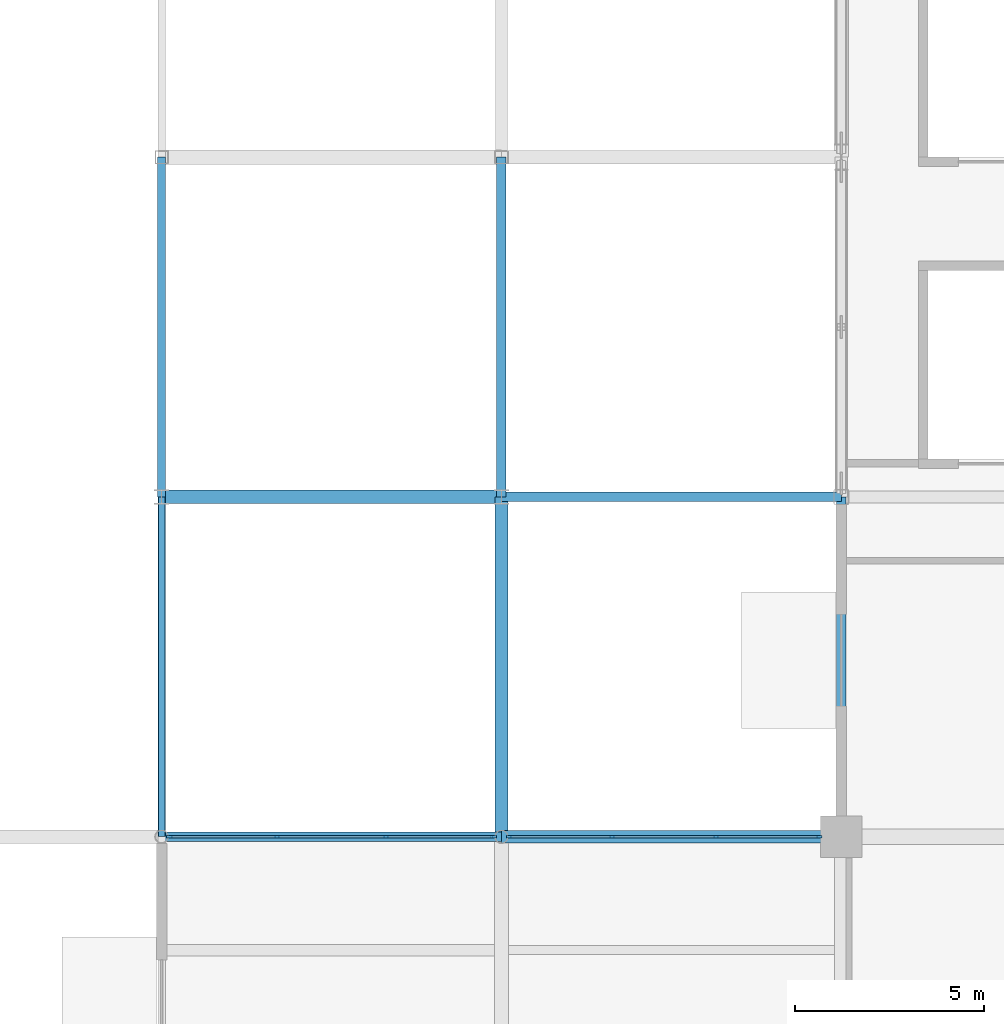
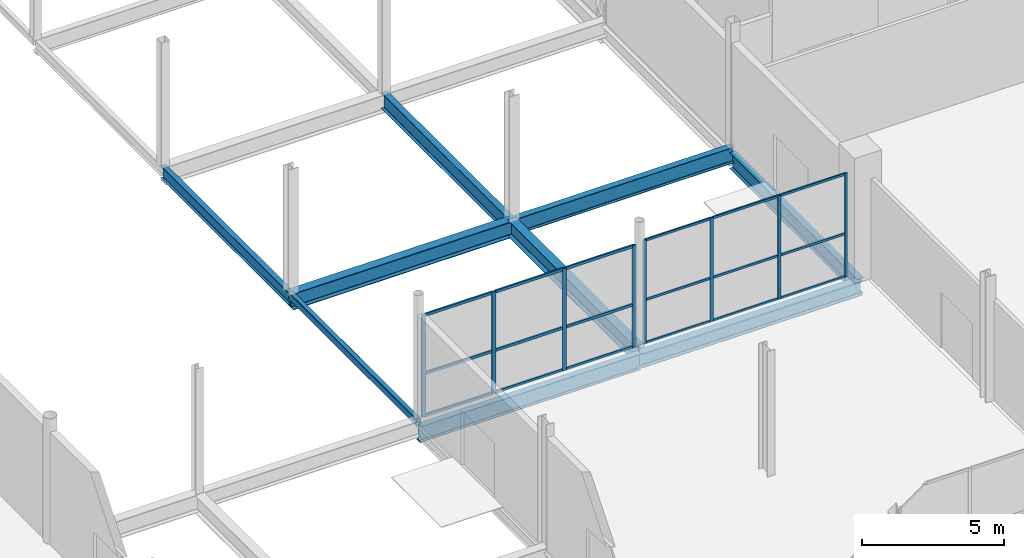
# One storey, part 33 of 94: 26 members, 9 beams, 2 elements without a shape of their own.
"""IFC4 building model written with IfcOpenShell, lengths in metres."""

from ifc_helpers import new_model, si_unit, direction, frame, origin, origin_2d, place, context, subcontext, project, spatial, rectangle, hollow_rectangle, i_section, extrude, material, layer, layer_set, material_profile, profile_set, type_object, element, aggregate, save


model = new_model("IFC4")

# Units and contexts
model_context = context("Model", 3, precision=1e-05, world=origin(), true_north=direction((0.0, 1.0)))
body_context = subcontext(model_context, "Body", "Model", "MODEL_VIEW")
ifc_project = project(units=[si_unit("LENGTHUNIT", "METRE"), si_unit("AREAUNIT", "SQUARE_METRE"), si_unit("VOLUMEUNIT", "CUBIC_METRE"), si_unit("PLANEANGLEUNIT", "RADIAN"), si_unit("MASSUNIT", "GRAM", prefix="KILO")], contexts=[model_context])

# Site, building, storey
site_placement = place(None, origin())
site = spatial("IfcSite", under=ifc_project, at=site_placement, CompositionType="ELEMENT")
building_placement = place(site_placement, origin())
building = spatial("IfcBuilding", under=site, at=building_placement, Name="Qamarlyn Nura Convention Centre", CompositionType="ELEMENT")
storey_placement = place(building_placement, origin())
storey = spatial("IfcBuildingStorey", under=building, at=storey_placement, Name="L00", CompositionType="ELEMENT", Elevation=0.0)

# Beams
ifc_material_1 = material(Name="Steel ASTM A992", Category="steel")
ifc_material_profile_1 = material_profile(ifc_material_1, i_section(OverallWidth=0.323974609375, OverallDepth=0.611083984375, WebThickness=0.0126953125, FlangeThickness=0.01904296875, FilletRadius=0.01611328125, at=origin_2d()), Name="W610X155")
ifc_profile_set_1 = profile_set([ifc_material_profile_1], Name="Steel ASTM A992")
beam_type_1 = type_object("IfcBeamType", Name="BM-GIRD-610", PredefinedType="BEAM", material=ifc_profile_set_1)
beam_1_placement = place(storey_placement, frame((144.0, 45.0, -0.60546875), z_axis=(1.0, 0.0, 0.0), x_axis=(0.0, 1.0, 0.0)))
element("IfcBeam", 1, at=beam_1_placement, inside=storey, type_object=beam_type_1, Name="L00 girder F 12-13", PredefinedType="BEAM", context=body_context, shape_type="SweptSolid", body=[
    extrude(i_section(OverallWidth=0.323974609375, OverallDepth=0.611083984375, WebThickness=0.0126953125, FlangeThickness=0.01904296875, FilletRadius=0.01611328125, at=origin_2d()), origin(), (0.0, 0.0, 1.0), 9.0),
])
ifc_material_profile_2 = material_profile(ifc_material_1, i_section(OverallWidth=0.35498046875, OverallDepth=0.695068359375, WebThickness=0.015380859375, FlangeThickness=0.02490234375, FilletRadius=0.01806640625, at=origin_2d()), Name="W690X217")
ifc_profile_set_2 = profile_set([ifc_material_profile_2], Name="Steel ASTM A992")
beam_type_2 = type_object("IfcBeamType", Name="BM-GIRD-690A", PredefinedType="BEAM", material=ifc_profile_set_2)
for number, where, z_axis, x_axis, name in (
    (2, (135.0, 54.0, -0.347412109375), (1.0, 0.0, 0.0), (0.0, 1.0, 0.0), "L00 girder G 11-12"),
    (3, (144.0, 45.0, -0.347412109375), (0.0, 1.0, 0.0), (-1.0, 0.0, 0.0), "L00 girder 12 F-G"),
):
    element("IfcBeam", number, at=place(storey_placement, frame(where, z_axis=z_axis, x_axis=x_axis)), inside=storey, type_object=beam_type_2, Name=name, PredefinedType="BEAM", context=body_context, shape_type="SweptSolid", body=[
        extrude(i_section(OverallWidth=0.35498046875, OverallDepth=0.695068359375, WebThickness=0.015380859375, FlangeThickness=0.02490234375, FilletRadius=0.01806640625, at=origin_2d()), origin(), (0.0, 0.0, 1.0), 9.0),
    ])
ifc_material_profile_3 = material_profile(ifc_material_1, i_section(OverallWidth=0.25390625, OverallDepth=0.68408203125, WebThickness=0.012451171875, FlangeThickness=0.01904296875, FilletRadius=0.01806640625, at=origin_2d()), Name="W690X140")
ifc_profile_set_3 = profile_set([ifc_material_profile_3], Name="Steel ASTM A992")
beam_type_3 = type_object("IfcBeamType", Name="BM-GIRD-690B", PredefinedType="BEAM", material=ifc_profile_set_3)
for number, where, z_axis, x_axis, name in (
    (4, (135.0, 45.0, -0.64208984375), (1.0, 0.0, 0.0), (0.0, 1.0, 0.0), "L00 girder F 11-12"),
    (5, (144.0, 54.0, -0.342041015625), (1.0, 0.0, 0.0), (0.0, 1.0, 0.0), "L00 girder G 12-13"),
    (6, (144.0, 54.0, -0.342041015625), (0.0, 1.0, 0.0), (-1.0, 0.0, 0.0), "L00 girder 12 G-H"),
    (7, (153.0, 45.0, -0.6220703125), (0.0, 1.0, 0.0), (-1.0, 0.0, 0.0), "L00 girder 13 F-G"),
):
    element("IfcBeam", number, at=place(storey_placement, frame(where, z_axis=z_axis, x_axis=x_axis)), inside=storey, type_object=beam_type_3, Name=name, PredefinedType="BEAM", context=body_context, shape_type="SweptSolid", body=[
        extrude(i_section(OverallWidth=0.25390625, OverallDepth=0.68408203125, WebThickness=0.012451171875, FlangeThickness=0.01904296875, FilletRadius=0.01806640625, at=origin_2d()), origin(), (0.0, 0.0, 1.0), 9.0),
    ])
ifc_material_profile_4 = material_profile(ifc_material_1, i_section(OverallWidth=0.2109375, OverallDepth=0.5390625, WebThickness=0.01171875, FlangeThickness=0.018798828125, FilletRadius=0.013916015625, at=origin_2d()), Name="W530X109")
ifc_profile_set_4 = profile_set([ifc_material_profile_4], Name="Steel ASTM A992")
beam_type_4 = type_object("IfcBeamType", Name="BM-SPAN-530", PredefinedType="SPANDREL", material=ifc_profile_set_4)
beam_2_placement = place(storey_placement, frame((135.0, 54.0, -0.26953125), z_axis=(0.0, 1.0, 0.0), x_axis=(-1.0, 0.0, 0.0)))
element("IfcBeam", 8, at=beam_2_placement, inside=storey, type_object=beam_type_4, Name="L00 girder 11 G-H", PredefinedType="SPANDREL", context=body_context, shape_type="SweptSolid", body=[
    extrude(i_section(OverallWidth=0.2109375, OverallDepth=0.5390625, WebThickness=0.01171875, FlangeThickness=0.018798828125, FilletRadius=0.013916015625, at=origin_2d()), origin(), (0.0, 0.0, 1.0), 9.0),
])
ifc_material_2 = material(Name="Steel ASTM A500 Grade C", Category="steel")
ifc_material_profile_5 = material_profile(ifc_material_2, hollow_rectangle(XDim=0.199951171875, YDim=0.300048828125, WallThickness=0.012451171875, InnerFilletRadius=0.012451171875, OuterFilletRadius=0.02490234375, at=origin_2d()), Name="HSS300X200X12.5")
ifc_profile_set_5 = profile_set([ifc_material_profile_5], Name="Steel ASTM A500 Grade C")
beam_type_5 = type_object("IfcBeamType", Name="BM-SPAN-HSS", PredefinedType="SPANDREL", material=ifc_profile_set_5)
beam_3_placement = place(storey_placement, frame((135.0, 45.0, -0.14990234375), z_axis=(0.0, 1.0, 0.0), x_axis=(-1.0, 0.0, 0.0)))
element("IfcBeam", 9, at=beam_3_placement, inside=storey, type_object=beam_type_5, Name="L00 girder 11 F-G", PredefinedType="SPANDREL", context=body_context, shape_type="SweptSolid", body=[
    extrude(hollow_rectangle(XDim=0.199951171875, YDim=0.300048828125, WallThickness=0.012451171875, InnerFilletRadius=0.012451171875, OuterFilletRadius=0.02490234375, at=origin_2d()), origin(), (0.0, 0.0, 1.0), 9.0),
])

# Curtain wall, members
ifc_material_3 = material(Name="Double-silver low-E insulated glass", Category="glass")
ifc_layer_1 = layer(ifc_material_3, 0.179931640625, Name="CW-UNIT-62")
ifc_layer_set_1 = layer_set([ifc_layer_1], Name="Double-silver low-E insulated glass")
curtain_wall_type_1 = type_object("IfcCurtainWallType", Name="CW-UNIT-62", PredefinedType="NOTDEFINED", material=ifc_layer_set_1)
curtain_wall_1_placement = place(storey_placement, origin())
curtain_wall_1 = element("IfcCurtainWall", 10, at=curtain_wall_1_placement, inside=storey, type_object=curtain_wall_type_1, Name="L00 unitised curtain wall WSN-L00-2", PredefinedType="NOTDEFINED")
ifc_material_4 = material(Name="Champagne-anodised marine aluminium", Category="aluminium")
ifc_material_profile_6 = material_profile(ifc_material_4, rectangle(XDim=0.06005859375, YDim=0.139892578125, at=origin_2d()), Name="ALU MULLION 60x140")
ifc_profile_set_6 = profile_set([ifc_material_profile_6], Name="Champagne-anodised marine aluminium")
member_type_1 = type_object("IfcMemberType", Name="CWM-140", PredefinedType="MULLION", material=ifc_profile_set_6)
member_1_placement = place(storey_placement, frame((144.207763671875, 45.0, 0.0), z_axis=(0.0, 0.0, 1.0), x_axis=(0.0, 1.0, 0.0)))
member_1 = element("IfcMember", 11, at=member_1_placement, type_object=member_type_1, Name="CW62 mullion 1", PredefinedType="MULLION", context=body_context, shape_type="SweptSolid", body=[
    extrude(rectangle(XDim=0.06005859375, YDim=0.139892578125, at=origin_2d()), origin(), (0.0, 0.0, 1.0), 4.469970703125),
])
member_2_placement = place(storey_placement, frame((146.935302734375, 45.0, 0.0), z_axis=(0.0, 0.0, 1.0), x_axis=(0.0, 1.0, 0.0)))
member_2 = element("IfcMember", 12, at=member_2_placement, type_object=member_type_1, Name="CW62 mullion 2", PredefinedType="MULLION", context=body_context, shape_type="SweptSolid", body=[
    extrude(rectangle(XDim=0.06005859375, YDim=0.139892578125, at=origin_2d()), origin(), (0.0, 0.0, 1.0), 4.469970703125),
])
member_3_placement = place(storey_placement, frame((149.692626953125, 45.0, 0.0), z_axis=(0.0, 0.0, 1.0), x_axis=(0.0, 1.0, 0.0)))
member_3 = element("IfcMember", 13, at=member_3_placement, type_object=member_type_1, Name="CW62 mullion 3", PredefinedType="MULLION", context=body_context, shape_type="SweptSolid", body=[
    extrude(rectangle(XDim=0.06005859375, YDim=0.139892578125, at=origin_2d()), origin(), (0.0, 0.0, 1.0), 4.469970703125),
])
member_4_placement = place(storey_placement, frame((152.419921875, 45.0, 0.0), z_axis=(0.0, 0.0, 1.0), x_axis=(0.0, 1.0, 0.0)))
member_4 = element("IfcMember", 14, at=member_4_placement, type_object=member_type_1, Name="CW62 mullion 4", PredefinedType="MULLION", context=body_context, shape_type="SweptSolid", body=[
    extrude(rectangle(XDim=0.06005859375, YDim=0.139892578125, at=origin_2d()), origin(), (0.0, 0.0, 1.0), 4.469970703125),
])

ifc_layer_2 = layer(ifc_material_3, 0.179931640625, Name="CW-UNIT-61")
ifc_layer_set_2 = layer_set([ifc_layer_2], Name="Double-silver low-E insulated glass")
curtain_wall_type_2 = type_object("IfcCurtainWallType", Name="CW-UNIT-61", PredefinedType="NOTDEFINED", material=ifc_layer_set_2)
curtain_wall_2_placement = place(storey_placement, origin())
curtain_wall_2 = element("IfcCurtainWall", 15, at=curtain_wall_2_placement, inside=storey, type_object=curtain_wall_type_2, Name="L00 unitised curtain wall WSN-L00-1", PredefinedType="NOTDEFINED")
ifc_material_profile_7 = material_profile(ifc_material_4, rectangle(XDim=0.06494140625, YDim=0.159912109375, at=origin_2d()), Name="ALU MULLION 65x160")
ifc_profile_set_7 = profile_set([ifc_material_profile_7], Name="Champagne-anodised marine aluminium")
member_type_2 = type_object("IfcMemberType", Name="CWM-160", PredefinedType="MULLION", material=ifc_profile_set_7)
member_5_placement = place(storey_placement, frame((135.210205078125, 45.0, 0.0), z_axis=(0.0, 0.0, 1.0), x_axis=(0.0, 1.0, 0.0)))
member_5 = element("IfcMember", 16, at=member_5_placement, type_object=member_type_2, Name="CW61 mullion 1", PredefinedType="MULLION", context=body_context, shape_type="SweptSolid", body=[
    extrude(rectangle(XDim=0.06494140625, YDim=0.159912109375, at=origin_2d()), origin(), (0.0, 0.0, 1.0), 4.39208984375),
])
member_6_placement = place(storey_placement, frame((138.059326171875, 45.0, 0.0), z_axis=(0.0, 0.0, 1.0), x_axis=(0.0, 1.0, 0.0)))
member_6 = element("IfcMember", 17, at=member_6_placement, type_object=member_type_2, Name="CW61 mullion 2", PredefinedType="MULLION", context=body_context, shape_type="SweptSolid", body=[
    extrude(rectangle(XDim=0.06494140625, YDim=0.159912109375, at=origin_2d()), origin(), (0.0, 0.0, 1.0), 4.39208984375),
])
member_7_placement = place(storey_placement, frame((140.940673828125, 45.0, 0.0), z_axis=(0.0, 0.0, 1.0), x_axis=(0.0, 1.0, 0.0)))
member_7 = element("IfcMember", 18, at=member_7_placement, type_object=member_type_2, Name="CW61 mullion 3", PredefinedType="MULLION", context=body_context, shape_type="SweptSolid", body=[
    extrude(rectangle(XDim=0.06494140625, YDim=0.159912109375, at=origin_2d()), origin(), (0.0, 0.0, 1.0), 4.39208984375),
])
member_8_placement = place(storey_placement, frame((143.789794921875, 45.0, 0.0), z_axis=(0.0, 0.0, 1.0), x_axis=(0.0, 1.0, 0.0)))
member_8 = element("IfcMember", 19, at=member_8_placement, type_object=member_type_2, Name="CW61 mullion 4", PredefinedType="MULLION", context=body_context, shape_type="SweptSolid", body=[
    extrude(rectangle(XDim=0.06494140625, YDim=0.159912109375, at=origin_2d()), origin(), (0.0, 0.0, 1.0), 4.39208984375),
])

# Member
ifc_material_profile_8 = material_profile(ifc_material_4, rectangle(XDim=0.06005859375, YDim=0.10009765625, at=origin_2d()), Name="ALU TRANSOM 60x100")
ifc_profile_set_8 = profile_set([ifc_material_profile_8], Name="Champagne-anodised marine aluminium")
member_type_3 = type_object("IfcMemberType", Name="CWT-100", PredefinedType="USERDEFINED", material=ifc_profile_set_8)
member_9_placement = place(storey_placement, frame((144.23779296875, 45.0, 0.030029296875), z_axis=(1.0, 0.0, 0.0), x_axis=(0.0, 1.0, 0.0)))
member_9 = element("IfcMember", 20, at=member_9_placement, type_object=member_type_3, Name="CW62 transom 1.1", ObjectType="TRANSOM", PredefinedType="USERDEFINED", context=body_context, shape_type="SweptSolid", body=[
    extrude(rectangle(XDim=0.06005859375, YDim=0.10009765625, at=origin_2d()), origin(), (0.0, 0.0, 1.0), 2.66748046875),
])

member_10_placement = place(storey_placement, frame((144.23779296875, 45.0, 1.876953125), z_axis=(1.0, 0.0, 0.0), x_axis=(0.0, 1.0, 0.0)))
member_10 = element("IfcMember", 21, at=member_10_placement, type_object=member_type_3, Name="CW62 transom 1.2", ObjectType="TRANSOM", PredefinedType="USERDEFINED", context=body_context, shape_type="SweptSolid", body=[
    extrude(rectangle(XDim=0.06005859375, YDim=0.10009765625, at=origin_2d()), origin(), (0.0, 0.0, 1.0), 2.66748046875),
])

member_11_placement = place(storey_placement, frame((144.23779296875, 45.0, 4.43994140625), z_axis=(1.0, 0.0, 0.0), x_axis=(0.0, 1.0, 0.0)))
member_11 = element("IfcMember", 22, at=member_11_placement, type_object=member_type_3, Name="CW62 transom 1.3", ObjectType="TRANSOM", PredefinedType="USERDEFINED", context=body_context, shape_type="SweptSolid", body=[
    extrude(rectangle(XDim=0.06005859375, YDim=0.10009765625, at=origin_2d()), origin(), (0.0, 0.0, 1.0), 2.66748046875),
])

member_12_placement = place(storey_placement, frame((146.965087890625, 45.0, 0.030029296875), z_axis=(1.0, 0.0, 0.0), x_axis=(0.0, 1.0, 0.0)))
member_12 = element("IfcMember", 23, at=member_12_placement, type_object=member_type_3, Name="CW62 transom 2.1", ObjectType="TRANSOM", PredefinedType="USERDEFINED", context=body_context, shape_type="SweptSolid", body=[
    extrude(rectangle(XDim=0.06005859375, YDim=0.10009765625, at=origin_2d()), origin(), (0.0, 0.0, 1.0), 2.697509765625),
])

member_13_placement = place(storey_placement, frame((146.965087890625, 45.0, 1.876953125), z_axis=(1.0, 0.0, 0.0), x_axis=(0.0, 1.0, 0.0)))
member_13 = element("IfcMember", 24, at=member_13_placement, type_object=member_type_3, Name="CW62 transom 2.2", ObjectType="TRANSOM", PredefinedType="USERDEFINED", context=body_context, shape_type="SweptSolid", body=[
    extrude(rectangle(XDim=0.06005859375, YDim=0.10009765625, at=origin_2d()), origin(), (0.0, 0.0, 1.0), 2.697509765625),
])

member_14_placement = place(storey_placement, frame((146.965087890625, 45.0, 4.43994140625), z_axis=(1.0, 0.0, 0.0), x_axis=(0.0, 1.0, 0.0)))
member_14 = element("IfcMember", 25, at=member_14_placement, type_object=member_type_3, Name="CW62 transom 2.3", ObjectType="TRANSOM", PredefinedType="USERDEFINED", context=body_context, shape_type="SweptSolid", body=[
    extrude(rectangle(XDim=0.06005859375, YDim=0.10009765625, at=origin_2d()), origin(), (0.0, 0.0, 1.0), 2.697509765625),
])

member_15_placement = place(storey_placement, frame((149.72265625, 45.0, 0.030029296875), z_axis=(1.0, 0.0, 0.0), x_axis=(0.0, 1.0, 0.0)))
member_15 = element("IfcMember", 26, at=member_15_placement, type_object=member_type_3, Name="CW62 transom 3.1", ObjectType="TRANSOM", PredefinedType="USERDEFINED", context=body_context, shape_type="SweptSolid", body=[
    extrude(rectangle(XDim=0.06005859375, YDim=0.10009765625, at=origin_2d()), origin(), (0.0, 0.0, 1.0), 2.667236328125),
])

member_16_placement = place(storey_placement, frame((149.72265625, 45.0, 1.876953125), z_axis=(1.0, 0.0, 0.0), x_axis=(0.0, 1.0, 0.0)))
member_16 = element("IfcMember", 27, at=member_16_placement, type_object=member_type_3, Name="CW62 transom 3.2", ObjectType="TRANSOM", PredefinedType="USERDEFINED", context=body_context, shape_type="SweptSolid", body=[
    extrude(rectangle(XDim=0.06005859375, YDim=0.10009765625, at=origin_2d()), origin(), (0.0, 0.0, 1.0), 2.667236328125),
])

member_17_placement = place(storey_placement, frame((149.72265625, 45.0, 4.43994140625), z_axis=(1.0, 0.0, 0.0), x_axis=(0.0, 1.0, 0.0)))
member_17 = element("IfcMember", 28, at=member_17_placement, type_object=member_type_3, Name="CW62 transom 3.3", ObjectType="TRANSOM", PredefinedType="USERDEFINED", context=body_context, shape_type="SweptSolid", body=[
    extrude(rectangle(XDim=0.06005859375, YDim=0.10009765625, at=origin_2d()), origin(), (0.0, 0.0, 1.0), 2.667236328125),
])

aggregate(curtain_wall_1, [member_1, member_2, member_3, member_4, member_9, member_10, member_11, member_12, member_13, member_14, member_15, member_16, member_17])

ifc_material_profile_9 = material_profile(ifc_material_4, rectangle(XDim=0.06494140625, YDim=0.1201171875, at=origin_2d()), Name="ALU TRANSOM 65x120")
ifc_profile_set_9 = profile_set([ifc_material_profile_9], Name="Champagne-anodised marine aluminium")
member_type_4 = type_object("IfcMemberType", Name="CWT-120", PredefinedType="USERDEFINED", material=ifc_profile_set_9)
member_18_placement = place(storey_placement, frame((135.242919921875, 45.0, 0.032470703125), z_axis=(1.0, 0.0, 0.0), x_axis=(0.0, 1.0, 0.0)))
member_18 = element("IfcMember", 29, at=member_18_placement, type_object=member_type_4, Name="CW61 transom 1.1", ObjectType="TRANSOM", PredefinedType="USERDEFINED", context=body_context, shape_type="SweptSolid", body=[
    extrude(rectangle(XDim=0.06494140625, YDim=0.1201171875, at=origin_2d()), origin(), (0.0, 0.0, 1.0), 2.783935546875),
])

member_19_placement = place(storey_placement, frame((135.242919921875, 45.0, 1.844970703125), z_axis=(1.0, 0.0, 0.0), x_axis=(0.0, 1.0, 0.0)))
member_19 = element("IfcMember", 30, at=member_19_placement, type_object=member_type_4, Name="CW61 transom 1.2", ObjectType="TRANSOM", PredefinedType="USERDEFINED", context=body_context, shape_type="SweptSolid", body=[
    extrude(rectangle(XDim=0.06494140625, YDim=0.1201171875, at=origin_2d()), origin(), (0.0, 0.0, 1.0), 2.783935546875),
])

member_20_placement = place(storey_placement, frame((135.242919921875, 45.0, 4.359619140625), z_axis=(1.0, 0.0, 0.0), x_axis=(0.0, 1.0, 0.0)))
member_20 = element("IfcMember", 31, at=member_20_placement, type_object=member_type_4, Name="CW61 transom 1.3", ObjectType="TRANSOM", PredefinedType="USERDEFINED", context=body_context, shape_type="SweptSolid", body=[
    extrude(rectangle(XDim=0.06494140625, YDim=0.1201171875, at=origin_2d()), origin(), (0.0, 0.0, 1.0), 2.783935546875),
])

member_21_placement = place(storey_placement, frame((138.091796875, 45.0, 0.032470703125), z_axis=(1.0, 0.0, 0.0), x_axis=(0.0, 1.0, 0.0)))
member_21 = element("IfcMember", 32, at=member_21_placement, type_object=member_type_4, Name="CW61 transom 2.1", ObjectType="TRANSOM", PredefinedType="USERDEFINED", context=body_context, shape_type="SweptSolid", body=[
    extrude(rectangle(XDim=0.06494140625, YDim=0.1201171875, at=origin_2d()), origin(), (0.0, 0.0, 1.0), 2.81640625),
])

member_22_placement = place(storey_placement, frame((138.091796875, 45.0, 1.844970703125), z_axis=(1.0, 0.0, 0.0), x_axis=(0.0, 1.0, 0.0)))
member_22 = element("IfcMember", 33, at=member_22_placement, type_object=member_type_4, Name="CW61 transom 2.2", ObjectType="TRANSOM", PredefinedType="USERDEFINED", context=body_context, shape_type="SweptSolid", body=[
    extrude(rectangle(XDim=0.06494140625, YDim=0.1201171875, at=origin_2d()), origin(), (0.0, 0.0, 1.0), 2.81640625),
])

member_23_placement = place(storey_placement, frame((138.091796875, 45.0, 4.359619140625), z_axis=(1.0, 0.0, 0.0), x_axis=(0.0, 1.0, 0.0)))
member_23 = element("IfcMember", 34, at=member_23_placement, type_object=member_type_4, Name="CW61 transom 2.3", ObjectType="TRANSOM", PredefinedType="USERDEFINED", context=body_context, shape_type="SweptSolid", body=[
    extrude(rectangle(XDim=0.06494140625, YDim=0.1201171875, at=origin_2d()), origin(), (0.0, 0.0, 1.0), 2.81640625),
])

member_24_placement = place(storey_placement, frame((140.97314453125, 45.0, 0.032470703125), z_axis=(1.0, 0.0, 0.0), x_axis=(0.0, 1.0, 0.0)))
member_24 = element("IfcMember", 35, at=member_24_placement, type_object=member_type_4, Name="CW61 transom 3.1", ObjectType="TRANSOM", PredefinedType="USERDEFINED", context=body_context, shape_type="SweptSolid", body=[
    extrude(rectangle(XDim=0.06494140625, YDim=0.1201171875, at=origin_2d()), origin(), (0.0, 0.0, 1.0), 2.783935546875),
])

member_25_placement = place(storey_placement, frame((140.97314453125, 45.0, 1.844970703125), z_axis=(1.0, 0.0, 0.0), x_axis=(0.0, 1.0, 0.0)))
member_25 = element("IfcMember", 36, at=member_25_placement, type_object=member_type_4, Name="CW61 transom 3.2", ObjectType="TRANSOM", PredefinedType="USERDEFINED", context=body_context, shape_type="SweptSolid", body=[
    extrude(rectangle(XDim=0.06494140625, YDim=0.1201171875, at=origin_2d()), origin(), (0.0, 0.0, 1.0), 2.783935546875),
])

member_26_placement = place(storey_placement, frame((140.97314453125, 45.0, 4.359619140625), z_axis=(1.0, 0.0, 0.0), x_axis=(0.0, 1.0, 0.0)))
member_26 = element("IfcMember", 37, at=member_26_placement, type_object=member_type_4, Name="CW61 transom 3.3", ObjectType="TRANSOM", PredefinedType="USERDEFINED", context=body_context, shape_type="SweptSolid", body=[
    extrude(rectangle(XDim=0.06494140625, YDim=0.1201171875, at=origin_2d()), origin(), (0.0, 0.0, 1.0), 2.783935546875),
])

aggregate(curtain_wall_2, [member_5, member_6, member_7, member_8, member_18, member_19, member_20, member_21, member_22, member_23, member_24, member_25, member_26])

save(model, "model.ifc")
